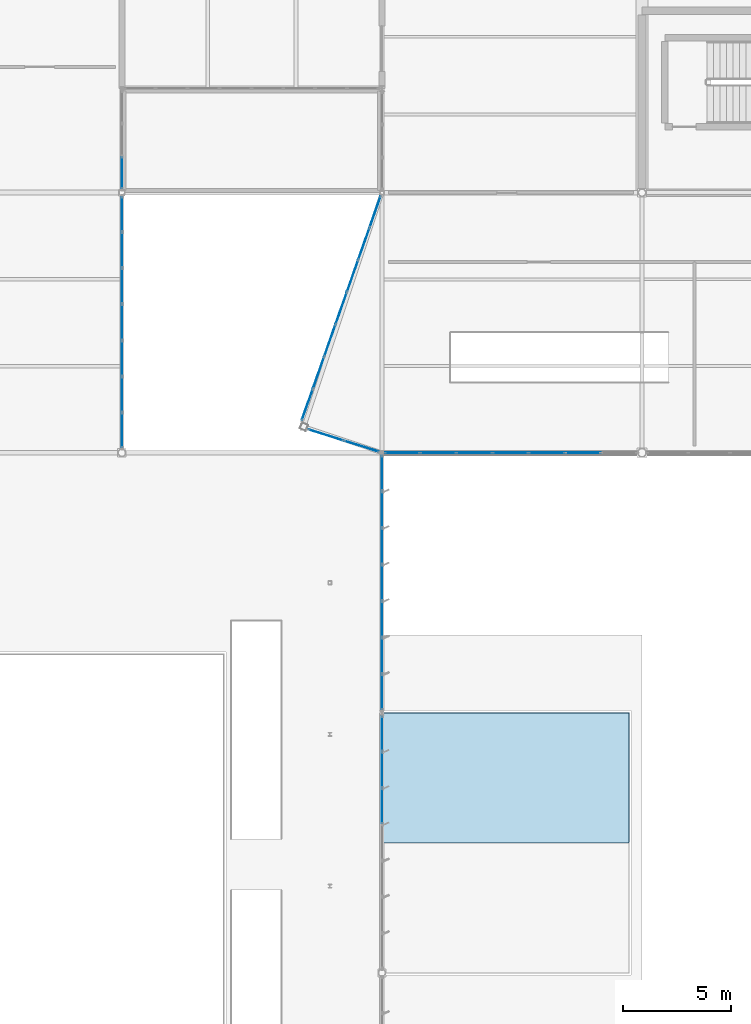
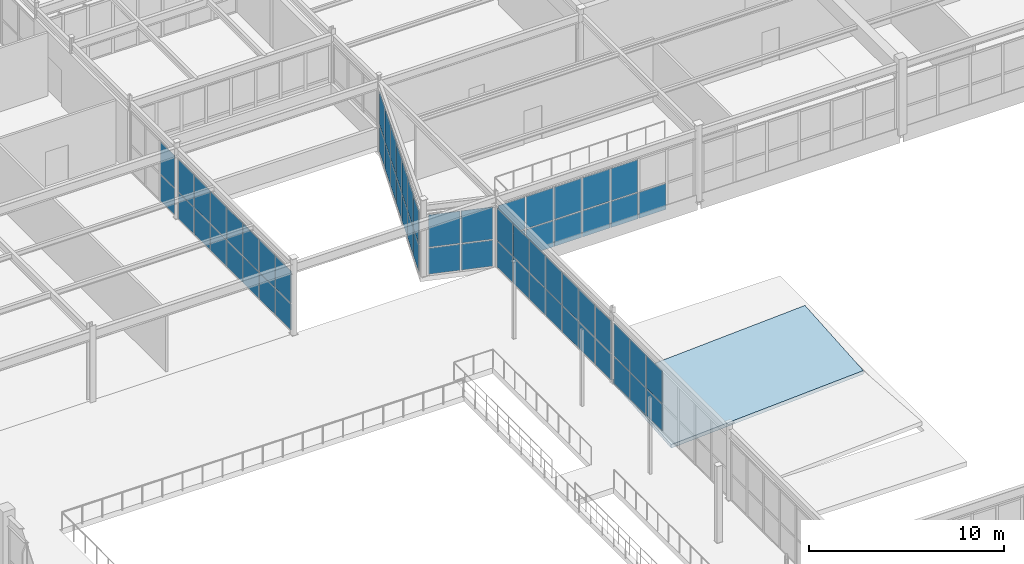
# One storey, part 148 of 226: 65 plates, 1 slab, 7 elements without a shape of their own.
"""IFC4 building model written with IfcOpenShell, lengths in metres."""

from ifc_helpers import new_model, si_unit, direction, frame, origin, origin_2d, place, context, subcontext, project, spatial, polyline, rectangle, outline, extrude, material, layer, layer_set, type_object, element, aggregate, save


model = new_model("IFC4")

# Units and contexts
model_context = context("Model", 3, precision=1e-05, world=origin(), true_north=direction((0.0, 1.0)))
body_context = subcontext(model_context, "Body", "Model", "MODEL_VIEW")
ifc_project = project(units=[si_unit("LENGTHUNIT", "METRE"), si_unit("AREAUNIT", "SQUARE_METRE"), si_unit("VOLUMEUNIT", "CUBIC_METRE"), si_unit("PLANEANGLEUNIT", "RADIAN"), si_unit("MASSUNIT", "GRAM", prefix="KILO")], contexts=[model_context])

# Site, building, storey
site_placement = place(None, origin())
site = spatial("IfcSite", under=ifc_project, at=site_placement, CompositionType="ELEMENT")
building_placement = place(site_placement, origin())
building = spatial("IfcBuilding", under=site, at=building_placement, Name="Tarnwether General Hospital", CompositionType="ELEMENT")
storey_placement = place(building_placement, frame((0.0, 0.0, 4.800048828125)))
storey = spatial("IfcBuildingStorey", under=building, at=storey_placement, Name="L01", CompositionType="ELEMENT", Elevation=4.800048828125)

# Curtain wall, plates
ifc_material_1 = material(Name="Anodised aluminium", Category="aluminium")
ifc_layer_1 = layer(ifc_material_1, 0.179931640625)
ifc_layer_set_1 = layer_set([ifc_layer_1], Name="Anodised aluminium")
curtain_wall_type_1 = type_object("IfcCurtainWallType", Name="CW-06", PredefinedType="NOTDEFINED", material=ifc_layer_set_1)
curtain_wall_1_placement = place(storey_placement, origin())
curtain_wall_1 = element("IfcCurtainWall", 1, at=curtain_wall_1_placement, inside=storey, type_object=curtain_wall_type_1, Name="Curtain Wall CWG-L01-1440_815-0336", PredefinedType="NOTDEFINED")
ifc_material_2 = material(Name="Double glazed low-E glass", Category="glass")
ifc_layer_2 = layer(ifc_material_2, 0.028076171875)
ifc_layer_set_2 = layer_set([ifc_layer_2], Name="Double glazed low-E glass")
plate_type = type_object("IfcPlateType", Name="PT-CWP1", PredefinedType="CURTAIN_PANEL", material=ifc_layer_set_2)
plate_1_placement = place(storey_placement, frame((144.0, 80.653076171875, 0.06005859375), z_axis=(0.0, 0.0, 1.0), x_axis=(0.0, -1.0, 0.0)))
plate_1 = element("IfcPlate", 2, at=plate_1_placement, type_object=plate_type, Name="CW-06 panel 1.1", PredefinedType="CURTAIN_PANEL", context=body_context, shape_type="SweptSolid", body=[
    extrude(rectangle(XDim=1.595947265625, YDim=0.028076171875, at=origin_2d()), origin(), (0.0, 0.0, 1.0), 1.632568359375),
])
plate_2_placement = place(storey_placement, frame((144.0, 80.653076171875, 1.75244140625), z_axis=(0.0, 0.0, 1.0), x_axis=(0.0, -1.0, 0.0)))
plate_2 = element("IfcPlate", 3, at=plate_2_placement, type_object=plate_type, Name="CW-06 panel 1.2", PredefinedType="CURTAIN_PANEL", context=body_context, shape_type="SweptSolid", body=[
    extrude(rectangle(XDim=1.595947265625, YDim=0.028076171875, at=origin_2d()), origin(), (0.0, 0.0, 1.0), 2.015380859375),
])
plate_3_placement = place(storey_placement, frame((144.0, 78.98193359375, 0.06005859375), z_axis=(0.0, 0.0, 1.0), x_axis=(0.0, -1.0, 0.0)))
plate_3 = element("IfcPlate", 4, at=plate_3_placement, type_object=plate_type, Name="CW-06 panel 2.1", PredefinedType="CURTAIN_PANEL", context=body_context, shape_type="SweptSolid", body=[
    extrude(rectangle(XDim=1.6259765625, YDim=0.028076171875, at=origin_2d()), origin(), (0.0, 0.0, 1.0), 1.632568359375),
])
plate_4_placement = place(storey_placement, frame((144.0, 78.98193359375, 1.75244140625), z_axis=(0.0, 0.0, 1.0), x_axis=(0.0, -1.0, 0.0)))
plate_4 = element("IfcPlate", 5, at=plate_4_placement, type_object=plate_type, Name="CW-06 panel 2.2", PredefinedType="CURTAIN_PANEL", context=body_context, shape_type="SweptSolid", body=[
    extrude(rectangle(XDim=1.6259765625, YDim=0.028076171875, at=origin_2d()), origin(), (0.0, 0.0, 1.0), 2.015380859375),
])
plate_5_placement = place(storey_placement, frame((144.0, 77.2958984375, 0.06005859375), z_axis=(0.0, 0.0, 1.0), x_axis=(0.0, -1.0, 0.0)))
plate_5 = element("IfcPlate", 6, at=plate_5_placement, type_object=plate_type, Name="CW-06 panel 3.1", PredefinedType="CURTAIN_PANEL", context=body_context, shape_type="SweptSolid", body=[
    extrude(rectangle(XDim=1.6259765625, YDim=0.028076171875, at=origin_2d()), origin(), (0.0, 0.0, 1.0), 1.632568359375),
])
plate_6_placement = place(storey_placement, frame((144.0, 77.2958984375, 1.75244140625), z_axis=(0.0, 0.0, 1.0), x_axis=(0.0, -1.0, 0.0)))
plate_6 = element("IfcPlate", 7, at=plate_6_placement, type_object=plate_type, Name="CW-06 panel 3.2", PredefinedType="CURTAIN_PANEL", context=body_context, shape_type="SweptSolid", body=[
    extrude(rectangle(XDim=1.6259765625, YDim=0.028076171875, at=origin_2d()), origin(), (0.0, 0.0, 1.0), 2.015380859375),
])
plate_7_placement = place(storey_placement, frame((144.0, 75.610107421875, 0.06005859375), z_axis=(0.0, 0.0, 1.0), x_axis=(0.0, -1.0, 0.0)))
plate_7 = element("IfcPlate", 8, at=plate_7_placement, type_object=plate_type, Name="CW-06 panel 4.1", PredefinedType="CURTAIN_PANEL", context=body_context, shape_type="SweptSolid", body=[
    extrude(rectangle(XDim=1.6259765625, YDim=0.028076171875, at=origin_2d()), origin(), (0.0, 0.0, 1.0), 1.632568359375),
])
plate_8_placement = place(storey_placement, frame((144.0, 75.610107421875, 1.75244140625), z_axis=(0.0, 0.0, 1.0), x_axis=(0.0, -1.0, 0.0)))
plate_8 = element("IfcPlate", 9, at=plate_8_placement, type_object=plate_type, Name="CW-06 panel 4.2", PredefinedType="CURTAIN_PANEL", context=body_context, shape_type="SweptSolid", body=[
    extrude(rectangle(XDim=1.6259765625, YDim=0.028076171875, at=origin_2d()), origin(), (0.0, 0.0, 1.0), 2.015380859375),
])
plate_9_placement = place(storey_placement, frame((144.0, 73.924072265625, 0.06005859375), z_axis=(0.0, 0.0, 1.0), x_axis=(0.0, -1.0, 0.0)))
plate_9 = element("IfcPlate", 10, at=plate_9_placement, type_object=plate_type, Name="CW-06 panel 5.1", PredefinedType="CURTAIN_PANEL", context=body_context, shape_type="SweptSolid", body=[
    extrude(rectangle(XDim=1.6259765625, YDim=0.028076171875, at=origin_2d()), origin(), (0.0, 0.0, 1.0), 1.632568359375),
])
plate_10_placement = place(storey_placement, frame((144.0, 73.924072265625, 1.75244140625), z_axis=(0.0, 0.0, 1.0), x_axis=(0.0, -1.0, 0.0)))
plate_10 = element("IfcPlate", 11, at=plate_10_placement, type_object=plate_type, Name="CW-06 panel 5.2", PredefinedType="CURTAIN_PANEL", context=body_context, shape_type="SweptSolid", body=[
    extrude(rectangle(XDim=1.6259765625, YDim=0.028076171875, at=origin_2d()), origin(), (0.0, 0.0, 1.0), 2.015380859375),
])
plate_11_placement = place(storey_placement, frame((144.0, 72.238037109375, 0.06005859375), z_axis=(0.0, 0.0, 1.0), x_axis=(0.0, -1.0, 0.0)))
plate_11 = element("IfcPlate", 12, at=plate_11_placement, type_object=plate_type, Name="CW-06 panel 6.1", PredefinedType="CURTAIN_PANEL", context=body_context, shape_type="SweptSolid", body=[
    extrude(rectangle(XDim=1.6259765625, YDim=0.028076171875, at=origin_2d()), origin(), (0.0, 0.0, 1.0), 1.632568359375),
])
plate_12_placement = place(storey_placement, frame((144.0, 72.238037109375, 1.75244140625), z_axis=(0.0, 0.0, 1.0), x_axis=(0.0, -1.0, 0.0)))
plate_12 = element("IfcPlate", 13, at=plate_12_placement, type_object=plate_type, Name="CW-06 panel 6.2", PredefinedType="CURTAIN_PANEL", context=body_context, shape_type="SweptSolid", body=[
    extrude(rectangle(XDim=1.6259765625, YDim=0.028076171875, at=origin_2d()), origin(), (0.0, 0.0, 1.0), 2.015380859375),
])
plate_13_placement = place(storey_placement, frame((144.0, 70.56689453125, 0.06005859375), z_axis=(0.0, 0.0, 1.0), x_axis=(0.0, -1.0, 0.0)))
plate_13 = element("IfcPlate", 14, at=plate_13_placement, type_object=plate_type, Name="CW-06 panel 7.1", PredefinedType="CURTAIN_PANEL", context=body_context, shape_type="SweptSolid", body=[
    extrude(rectangle(XDim=1.595947265625, YDim=0.028076171875, at=origin_2d()), origin(), (0.0, 0.0, 1.0), 1.632568359375),
])
plate_14_placement = place(storey_placement, frame((144.0, 70.56689453125, 1.75244140625), z_axis=(0.0, 0.0, 1.0), x_axis=(0.0, -1.0, 0.0)))
plate_14 = element("IfcPlate", 15, at=plate_14_placement, type_object=plate_type, Name="CW-06 panel 7.2", PredefinedType="CURTAIN_PANEL", context=body_context, shape_type="SweptSolid", body=[
    extrude(rectangle(XDim=1.595947265625, YDim=0.028076171875, at=origin_2d()), origin(), (0.0, 0.0, 1.0), 2.015380859375),
])
aggregate(curtain_wall_1, [plate_1, plate_2, plate_3, plate_4, plate_5, plate_6, plate_7, plate_8, plate_9, plate_10, plate_11, plate_12, plate_13, plate_14])

curtain_wall_2_placement = place(storey_placement, origin())
curtain_wall_2 = element("IfcCurtainWall", 16, at=curtain_wall_2_placement, inside=storey, type_object=curtain_wall_type_1, Name="Curtain Wall CWG-L01-1440_695-0337", PredefinedType="NOTDEFINED")
plate_15_placement = place(storey_placement, frame((144.0, 68.637939453125, 0.06005859375), z_axis=(0.0, 0.0, 1.0), x_axis=(0.0, -1.0, 0.0)))
plate_15 = element("IfcPlate", 17, at=plate_15_placement, type_object=plate_type, Name="CW-06 panel 1.1", PredefinedType="CURTAIN_PANEL", context=body_context, shape_type="SweptSolid", body=[
    extrude(rectangle(XDim=1.584228515625, YDim=0.028076171875, at=origin_2d()), origin(), (0.0, 0.0, 1.0), 1.66357421875),
])
plate_16_placement = place(storey_placement, frame((144.0, 68.637939453125, 1.78369140625), z_axis=(0.0, 0.0, 1.0), x_axis=(0.0, -1.0, 0.0)))
plate_16 = element("IfcPlate", 18, at=plate_16_placement, type_object=plate_type, Name="CW-06 panel 1.2", PredefinedType="CURTAIN_PANEL", context=body_context, shape_type="SweptSolid", body=[
    extrude(rectangle(XDim=1.584228515625, YDim=0.028076171875, at=origin_2d()), origin(), (0.0, 0.0, 1.0), 2.053466796875),
])
plate_17_placement = place(storey_placement, frame((144.0, 66.978515625, 0.06005859375), z_axis=(0.0, 0.0, 1.0), x_axis=(0.0, -1.0, 0.0)))
plate_17 = element("IfcPlate", 19, at=plate_17_placement, type_object=plate_type, Name="CW-06 panel 2.1", PredefinedType="CURTAIN_PANEL", context=body_context, shape_type="SweptSolid", body=[
    extrude(rectangle(XDim=1.6142578125, YDim=0.028076171875, at=origin_2d()), origin(), (0.0, 0.0, 1.0), 1.66357421875),
])
plate_18_placement = place(storey_placement, frame((144.0, 66.978515625, 1.78369140625), z_axis=(0.0, 0.0, 1.0), x_axis=(0.0, -1.0, 0.0)))
plate_18 = element("IfcPlate", 20, at=plate_18_placement, type_object=plate_type, Name="CW-06 panel 2.2", PredefinedType="CURTAIN_PANEL", context=body_context, shape_type="SweptSolid", body=[
    extrude(rectangle(XDim=1.6142578125, YDim=0.028076171875, at=origin_2d()), origin(), (0.0, 0.0, 1.0), 2.053466796875),
])
plate_19_placement = place(storey_placement, frame((144.0, 65.30419921875, 0.06005859375), z_axis=(0.0, 0.0, 1.0), x_axis=(0.0, -1.0, 0.0)))
plate_19 = element("IfcPlate", 21, at=plate_19_placement, type_object=plate_type, Name="CW-06 panel 3.1", PredefinedType="CURTAIN_PANEL", context=body_context, shape_type="SweptSolid", body=[
    extrude(rectangle(XDim=1.6142578125, YDim=0.028076171875, at=origin_2d()), origin(), (0.0, 0.0, 1.0), 1.66357421875),
])
plate_20_placement = place(storey_placement, frame((144.0, 65.30419921875, 1.78369140625), z_axis=(0.0, 0.0, 1.0), x_axis=(0.0, -1.0, 0.0)))
plate_20 = element("IfcPlate", 22, at=plate_20_placement, type_object=plate_type, Name="CW-06 panel 3.2", PredefinedType="CURTAIN_PANEL", context=body_context, shape_type="SweptSolid", body=[
    extrude(rectangle(XDim=1.6142578125, YDim=0.028076171875, at=origin_2d()), origin(), (0.0, 0.0, 1.0), 2.053466796875),
])
aggregate(curtain_wall_2, [plate_15, plate_16, plate_17, plate_18, plate_19, plate_20])

ifc_material_3 = material(Name="Anodised aluminium", Category="aluminium")
ifc_layer_3 = layer(ifc_material_3, 0.159912109375)
ifc_layer_set_3 = layer_set([ifc_layer_3], Name="Anodised aluminium")
curtain_wall_type_2 = type_object("IfcCurtainWallType", Name="CW-15", PredefinedType="NOTDEFINED", material=ifc_layer_set_3)
curtain_wall_3_placement = place(storey_placement, origin())
curtain_wall_3 = element("IfcCurtainWall", 23, at=curtain_wall_3_placement, inside=storey, type_object=curtain_wall_type_2, Name="Curtain Wall CWG-L01-1320_983-0370", PredefinedType="NOTDEFINED")
plate_21_placement = place(storey_placement, frame((132.0, 94.521728515625, 0.06005859375), z_axis=(0.0, 0.0, 1.0), x_axis=(0.0, -1.0, 0.0)))
plate_21 = element("IfcPlate", 24, at=plate_21_placement, type_object=plate_type, Name="CW-15 panel 3.1", PredefinedType="CURTAIN_PANEL", context=body_context, shape_type="SweptSolid", body=[
    extrude(rectangle(XDim=1.43359375, YDim=0.028076171875, at=origin_2d()), origin(), (0.0, 0.0, 1.0), 1.628173828125),
])
plate_22_placement = place(storey_placement, frame((132.0, 94.521728515625, 1.748046875), z_axis=(0.0, 0.0, 1.0), x_axis=(0.0, -1.0, 0.0)))
plate_22 = element("IfcPlate", 25, at=plate_22_placement, type_object=plate_type, Name="CW-15 panel 3.2", PredefinedType="CURTAIN_PANEL", context=body_context, shape_type="SweptSolid", body=[
    extrude(rectangle(XDim=1.43359375, YDim=0.028076171875, at=origin_2d()), origin(), (0.0, 0.0, 1.0), 2.010009765625),
])
aggregate(curtain_wall_3, [plate_21, plate_22])

curtain_wall_4_placement = place(storey_placement, origin())
curtain_wall_4 = element("IfcCurtainWall", 26, at=curtain_wall_4_placement, inside=storey, type_object=curtain_wall_type_2, Name="Curtain Wall CWG-L01-1320_935-0371", PredefinedType="NOTDEFINED")
plate_23_placement = place(storey_placement, frame((132.0, 92.6064453125, 0.059814453125), z_axis=(0.0, 0.0, 1.0), x_axis=(0.0, -1.0, 0.0)))
plate_23 = element("IfcPlate", 27, at=plate_23_placement, type_object=plate_type, Name="CW-15 panel 1.1", PredefinedType="CURTAIN_PANEL", context=body_context, shape_type="SweptSolid", body=[
    extrude(rectangle(XDim=1.576904296875, YDim=0.028076171875, at=origin_2d()), origin(), (0.0, 0.0, 1.0), 1.63037109375),
])
plate_24_placement = place(storey_placement, frame((132.0, 92.6064453125, 1.750244140625), z_axis=(0.0, 0.0, 1.0), x_axis=(0.0, -1.0, 0.0)))
plate_24 = element("IfcPlate", 28, at=plate_24_placement, type_object=plate_type, Name="CW-15 panel 1.2", PredefinedType="CURTAIN_PANEL", context=body_context, shape_type="SweptSolid", body=[
    extrude(rectangle(XDim=1.576904296875, YDim=0.028076171875, at=origin_2d()), origin(), (0.0, 0.0, 1.0), 2.0126953125),
])
plate_25_placement = place(storey_placement, frame((132.0, 90.95458984375, 0.059814453125), z_axis=(0.0, 0.0, 1.0), x_axis=(0.0, -1.0, 0.0)))
plate_25 = element("IfcPlate", 29, at=plate_25_placement, type_object=plate_type, Name="CW-15 panel 2.1", PredefinedType="CURTAIN_PANEL", context=body_context, shape_type="SweptSolid", body=[
    extrude(rectangle(XDim=1.60693359375, YDim=0.028076171875, at=origin_2d()), origin(), (0.0, 0.0, 1.0), 1.63037109375),
])
plate_26_placement = place(storey_placement, frame((132.0, 90.95458984375, 1.750244140625), z_axis=(0.0, 0.0, 1.0), x_axis=(0.0, -1.0, 0.0)))
plate_26 = element("IfcPlate", 30, at=plate_26_placement, type_object=plate_type, Name="CW-15 panel 2.2", PredefinedType="CURTAIN_PANEL", context=body_context, shape_type="SweptSolid", body=[
    extrude(rectangle(XDim=1.60693359375, YDim=0.028076171875, at=origin_2d()), origin(), (0.0, 0.0, 1.0), 2.0126953125),
])
plate_27_placement = place(storey_placement, frame((132.0, 89.28759765625, 0.059814453125), z_axis=(0.0, 0.0, 1.0), x_axis=(0.0, -1.0, 0.0)))
plate_27 = element("IfcPlate", 31, at=plate_27_placement, type_object=plate_type, Name="CW-15 panel 3.1", PredefinedType="CURTAIN_PANEL", context=body_context, shape_type="SweptSolid", body=[
    extrude(rectangle(XDim=1.60693359375, YDim=0.028076171875, at=origin_2d()), origin(), (0.0, 0.0, 1.0), 1.63037109375),
])
plate_28_placement = place(storey_placement, frame((132.0, 89.28759765625, 1.750244140625), z_axis=(0.0, 0.0, 1.0), x_axis=(0.0, -1.0, 0.0)))
plate_28 = element("IfcPlate", 32, at=plate_28_placement, type_object=plate_type, Name="CW-15 panel 3.2", PredefinedType="CURTAIN_PANEL", context=body_context, shape_type="SweptSolid", body=[
    extrude(rectangle(XDim=1.60693359375, YDim=0.028076171875, at=origin_2d()), origin(), (0.0, 0.0, 1.0), 2.0126953125),
])
plate_29_placement = place(storey_placement, frame((132.0, 87.62060546875, 0.059814453125), z_axis=(0.0, 0.0, 1.0), x_axis=(0.0, -1.0, 0.0)))
plate_29 = element("IfcPlate", 33, at=plate_29_placement, type_object=plate_type, Name="CW-15 panel 4.1", PredefinedType="CURTAIN_PANEL", context=body_context, shape_type="SweptSolid", body=[
    extrude(rectangle(XDim=1.60693359375, YDim=0.028076171875, at=origin_2d()), origin(), (0.0, 0.0, 1.0), 1.63037109375),
])
plate_30_placement = place(storey_placement, frame((132.0, 87.62060546875, 1.750244140625), z_axis=(0.0, 0.0, 1.0), x_axis=(0.0, -1.0, 0.0)))
plate_30 = element("IfcPlate", 34, at=plate_30_placement, type_object=plate_type, Name="CW-15 panel 4.2", PredefinedType="CURTAIN_PANEL", context=body_context, shape_type="SweptSolid", body=[
    extrude(rectangle(XDim=1.60693359375, YDim=0.028076171875, at=origin_2d()), origin(), (0.0, 0.0, 1.0), 2.0126953125),
])
plate_31_placement = place(storey_placement, frame((132.0, 85.95361328125, 0.059814453125), z_axis=(0.0, 0.0, 1.0), x_axis=(0.0, -1.0, 0.0)))
plate_31 = element("IfcPlate", 35, at=plate_31_placement, type_object=plate_type, Name="CW-15 panel 5.1", PredefinedType="CURTAIN_PANEL", context=body_context, shape_type="SweptSolid", body=[
    extrude(rectangle(XDim=1.60693359375, YDim=0.028076171875, at=origin_2d()), origin(), (0.0, 0.0, 1.0), 1.63037109375),
])
plate_32_placement = place(storey_placement, frame((132.0, 85.95361328125, 1.750244140625), z_axis=(0.0, 0.0, 1.0), x_axis=(0.0, -1.0, 0.0)))
plate_32 = element("IfcPlate", 36, at=plate_32_placement, type_object=plate_type, Name="CW-15 panel 5.2", PredefinedType="CURTAIN_PANEL", context=body_context, shape_type="SweptSolid", body=[
    extrude(rectangle(XDim=1.60693359375, YDim=0.028076171875, at=origin_2d()), origin(), (0.0, 0.0, 1.0), 2.0126953125),
])
plate_33_placement = place(storey_placement, frame((132.0, 84.28662109375, 0.059814453125), z_axis=(0.0, 0.0, 1.0), x_axis=(0.0, -1.0, 0.0)))
plate_33 = element("IfcPlate", 37, at=plate_33_placement, type_object=plate_type, Name="CW-15 panel 6.1", PredefinedType="CURTAIN_PANEL", context=body_context, shape_type="SweptSolid", body=[
    extrude(rectangle(XDim=1.60693359375, YDim=0.028076171875, at=origin_2d()), origin(), (0.0, 0.0, 1.0), 1.63037109375),
])
plate_34_placement = place(storey_placement, frame((132.0, 84.28662109375, 1.750244140625), z_axis=(0.0, 0.0, 1.0), x_axis=(0.0, -1.0, 0.0)))
plate_34 = element("IfcPlate", 38, at=plate_34_placement, type_object=plate_type, Name="CW-15 panel 6.2", PredefinedType="CURTAIN_PANEL", context=body_context, shape_type="SweptSolid", body=[
    extrude(rectangle(XDim=1.60693359375, YDim=0.028076171875, at=origin_2d()), origin(), (0.0, 0.0, 1.0), 2.0126953125),
])
plate_35_placement = place(storey_placement, frame((132.0, 82.634521484375, 0.059814453125), z_axis=(0.0, 0.0, 1.0), x_axis=(0.0, -1.0, 0.0)))
plate_35 = element("IfcPlate", 39, at=plate_35_placement, type_object=plate_type, Name="CW-15 panel 7.1", PredefinedType="CURTAIN_PANEL", context=body_context, shape_type="SweptSolid", body=[
    extrude(rectangle(XDim=1.576904296875, YDim=0.028076171875, at=origin_2d()), origin(), (0.0, 0.0, 1.0), 1.63037109375),
])
plate_36_placement = place(storey_placement, frame((132.0, 82.634521484375, 1.750244140625), z_axis=(0.0, 0.0, 1.0), x_axis=(0.0, -1.0, 0.0)))
plate_36 = element("IfcPlate", 40, at=plate_36_placement, type_object=plate_type, Name="CW-15 panel 7.2", PredefinedType="CURTAIN_PANEL", context=body_context, shape_type="SweptSolid", body=[
    extrude(rectangle(XDim=1.576904296875, YDim=0.028076171875, at=origin_2d()), origin(), (0.0, 0.0, 1.0), 2.0126953125),
])
aggregate(curtain_wall_4, [plate_23, plate_24, plate_25, plate_26, plate_27, plate_28, plate_29, plate_30, plate_31, plate_32, plate_33, plate_34, plate_35, plate_36])

curtain_wall_5_placement = place(storey_placement, origin())
curtain_wall_5 = element("IfcCurtainWall", 41, at=curtain_wall_5_placement, inside=storey, type_object=curtain_wall_type_2, Name="Curtain Wall CWG-L01-1439_816-0372", PredefinedType="NOTDEFINED")
plate_37_placement = place(storey_placement, frame((143.05224609375, 81.899169921875, 0.06005859375), z_axis=(0.0, 0.0, 1.0), x_axis=(-0.953630262233, 0.300980602289, 0.0)))
plate_37 = element("IfcPlate", 42, at=plate_37_placement, type_object=plate_type, Name="CW-15 panel 1.1", PredefinedType="CURTAIN_PANEL", context=body_context, shape_type="SweptSolid", body=[
    extrude(rectangle(XDim=1.656005859375, YDim=0.028076171875, at=origin_2d()), origin(), (0.0, 0.0, 1.0), 1.632568359375),
])
plate_38_placement = place(storey_placement, frame((143.05224609375, 81.899169921875, 1.75244140625), z_axis=(0.0, 0.0, 1.0), x_axis=(-0.953630262233, 0.300980602289, 0.0)))
plate_38 = element("IfcPlate", 43, at=plate_38_placement, type_object=plate_type, Name="CW-15 panel 1.2", PredefinedType="CURTAIN_PANEL", context=body_context, shape_type="SweptSolid", body=[
    extrude(rectangle(XDim=1.656005859375, YDim=0.028076171875, at=origin_2d()), origin(), (0.0, 0.0, 1.0), 2.015380859375),
])
plate_39_placement = place(storey_placement, frame((141.415771484375, 82.415771484375, 0.06005859375), z_axis=(0.0, 0.0, 1.0), x_axis=(-0.953630262233, 0.300980602289, 0.0)))
plate_39 = element("IfcPlate", 44, at=plate_39_placement, type_object=plate_type, Name="CW-15 panel 2.1", PredefinedType="CURTAIN_PANEL", context=body_context, shape_type="SweptSolid", body=[
    extrude(rectangle(XDim=1.656005859375, YDim=0.028076171875, at=origin_2d()), origin(), (0.0, 0.0, 1.0), 1.632568359375),
])
plate_40_placement = place(storey_placement, frame((141.415771484375, 82.415771484375, 1.75244140625), z_axis=(0.0, 0.0, 1.0), x_axis=(-0.953630262233, 0.300980602289, 0.0)))
plate_40 = element("IfcPlate", 45, at=plate_40_placement, type_object=plate_type, Name="CW-15 panel 2.2", PredefinedType="CURTAIN_PANEL", context=body_context, shape_type="SweptSolid", body=[
    extrude(rectangle(XDim=1.656005859375, YDim=0.028076171875, at=origin_2d()), origin(), (0.0, 0.0, 1.0), 2.015380859375),
])
aggregate(curtain_wall_5, [plate_37, plate_38, plate_39, plate_40])

curtain_wall_6_placement = place(storey_placement, origin())
curtain_wall_6 = element("IfcCurtainWall", 46, at=curtain_wall_6_placement, inside=storey, type_object=curtain_wall_type_2, Name="Curtain Wall CWG-L01-1403_831-0373", PredefinedType="NOTDEFINED")
plate_41_placement = place(storey_placement, frame((140.554931640625, 83.809814453125, 0.06005859375), z_axis=(0.0, 0.0, 1.0), x_axis=(0.331901738387, 0.943313964731, 0.0)))
plate_41 = element("IfcPlate", 47, at=plate_41_placement, type_object=plate_type, Name="CW-15 panel 1.1", PredefinedType="CURTAIN_PANEL", context=body_context, shape_type="SweptSolid", body=[
    extrude(rectangle(XDim=1.48876953125, YDim=0.028076171875, at=origin_2d()), origin(), (0.0, 0.0, 1.0), 1.66357421875),
])
plate_42_placement = place(storey_placement, frame((140.554931640625, 83.809814453125, 1.78369140625), z_axis=(0.0, 0.0, 1.0), x_axis=(0.331901738387, 0.943313964731, 0.0)))
plate_42 = element("IfcPlate", 48, at=plate_42_placement, type_object=plate_type, Name="CW-15 panel 1.2", PredefinedType="CURTAIN_PANEL", context=body_context, shape_type="SweptSolid", body=[
    extrude(rectangle(XDim=1.48876953125, YDim=0.028076171875, at=origin_2d()), origin(), (0.0, 0.0, 1.0), 2.053466796875),
])
plate_43_placement = place(storey_placement, frame((141.073974609375, 85.284912109375, 0.06005859375), z_axis=(0.0, 0.0, 1.0), x_axis=(0.331901738387, 0.943313964731, 0.0)))
plate_43 = element("IfcPlate", 49, at=plate_43_placement, type_object=plate_type, Name="CW-15 panel 2.1", PredefinedType="CURTAIN_PANEL", context=body_context, shape_type="SweptSolid", body=[
    extrude(rectangle(XDim=1.518798828125, YDim=0.028076171875, at=origin_2d()), origin(), (0.0, 0.0, 1.0), 1.66357421875),
])
plate_44_placement = place(storey_placement, frame((141.073974609375, 85.284912109375, 1.78369140625), z_axis=(0.0, 0.0, 1.0), x_axis=(0.331901738387, 0.943313964731, 0.0)))
plate_44 = element("IfcPlate", 50, at=plate_44_placement, type_object=plate_type, Name="CW-15 panel 2.2", PredefinedType="CURTAIN_PANEL", context=body_context, shape_type="SweptSolid", body=[
    extrude(rectangle(XDim=1.518798828125, YDim=0.028076171875, at=origin_2d()), origin(), (0.0, 0.0, 1.0), 2.053466796875),
])
plate_45_placement = place(storey_placement, frame((141.597900390625, 86.774169921875, 0.06005859375), z_axis=(0.0, 0.0, 1.0), x_axis=(0.331901738387, 0.943313964731, 0.0)))
plate_45 = element("IfcPlate", 51, at=plate_45_placement, type_object=plate_type, Name="CW-15 panel 3.1", PredefinedType="CURTAIN_PANEL", context=body_context, shape_type="SweptSolid", body=[
    extrude(rectangle(XDim=1.518798828125, YDim=0.028076171875, at=origin_2d()), origin(), (0.0, 0.0, 1.0), 1.66357421875),
])
plate_46_placement = place(storey_placement, frame((141.597900390625, 86.774169921875, 1.78369140625), z_axis=(0.0, 0.0, 1.0), x_axis=(0.331901738387, 0.943313964731, 0.0)))
plate_46 = element("IfcPlate", 52, at=plate_46_placement, type_object=plate_type, Name="CW-15 panel 3.2", PredefinedType="CURTAIN_PANEL", context=body_context, shape_type="SweptSolid", body=[
    extrude(rectangle(XDim=1.518798828125, YDim=0.028076171875, at=origin_2d()), origin(), (0.0, 0.0, 1.0), 2.053466796875),
])
plate_47_placement = place(storey_placement, frame((142.1220703125, 88.263427734375, 0.06005859375), z_axis=(0.0, 0.0, 1.0), x_axis=(0.331901738387, 0.943313964731, 0.0)))
plate_47 = element("IfcPlate", 53, at=plate_47_placement, type_object=plate_type, Name="CW-15 panel 4.1", PredefinedType="CURTAIN_PANEL", context=body_context, shape_type="SweptSolid", body=[
    extrude(rectangle(XDim=1.518798828125, YDim=0.028076171875, at=origin_2d()), origin(), (0.0, 0.0, 1.0), 1.66357421875),
])
plate_48_placement = place(storey_placement, frame((142.1220703125, 88.263427734375, 1.78369140625), z_axis=(0.0, 0.0, 1.0), x_axis=(0.331901738387, 0.943313964731, 0.0)))
plate_48 = element("IfcPlate", 54, at=plate_48_placement, type_object=plate_type, Name="CW-15 panel 4.2", PredefinedType="CURTAIN_PANEL", context=body_context, shape_type="SweptSolid", body=[
    extrude(rectangle(XDim=1.518798828125, YDim=0.028076171875, at=origin_2d()), origin(), (0.0, 0.0, 1.0), 2.053466796875),
])
plate_49_placement = place(storey_placement, frame((142.64599609375, 89.752685546875, 0.06005859375), z_axis=(0.0, 0.0, 1.0), x_axis=(0.331901738387, 0.943313964731, 0.0)))
plate_49 = element("IfcPlate", 55, at=plate_49_placement, type_object=plate_type, Name="CW-15 panel 5.1", PredefinedType="CURTAIN_PANEL", context=body_context, shape_type="SweptSolid", body=[
    extrude(rectangle(XDim=1.518798828125, YDim=0.028076171875, at=origin_2d()), origin(), (0.0, 0.0, 1.0), 1.66357421875),
])
plate_50_placement = place(storey_placement, frame((142.64599609375, 89.752685546875, 1.78369140625), z_axis=(0.0, 0.0, 1.0), x_axis=(0.331901738387, 0.943313964731, 0.0)))
plate_50 = element("IfcPlate", 56, at=plate_50_placement, type_object=plate_type, Name="CW-15 panel 5.2", PredefinedType="CURTAIN_PANEL", context=body_context, shape_type="SweptSolid", body=[
    extrude(rectangle(XDim=1.518798828125, YDim=0.028076171875, at=origin_2d()), origin(), (0.0, 0.0, 1.0), 2.053466796875),
])
plate_51_placement = place(storey_placement, frame((143.169921875, 91.2421875, 0.06005859375), z_axis=(0.0, 0.0, 1.0), x_axis=(0.331901738387, 0.943313964731, 0.0)))
plate_51 = element("IfcPlate", 57, at=plate_51_placement, type_object=plate_type, Name="CW-15 panel 6.1", PredefinedType="CURTAIN_PANEL", context=body_context, shape_type="SweptSolid", body=[
    extrude(rectangle(XDim=1.518798828125, YDim=0.028076171875, at=origin_2d()), origin(), (0.0, 0.0, 1.0), 1.66357421875),
])
plate_52_placement = place(storey_placement, frame((143.169921875, 91.2421875, 1.78369140625), z_axis=(0.0, 0.0, 1.0), x_axis=(0.331901738387, 0.943313964731, 0.0)))
plate_52 = element("IfcPlate", 58, at=plate_52_placement, type_object=plate_type, Name="CW-15 panel 6.2", PredefinedType="CURTAIN_PANEL", context=body_context, shape_type="SweptSolid", body=[
    extrude(rectangle(XDim=1.518798828125, YDim=0.028076171875, at=origin_2d()), origin(), (0.0, 0.0, 1.0), 2.053466796875),
])
plate_53_placement = place(storey_placement, frame((143.68896484375, 92.71728515625, 0.06005859375), z_axis=(0.0, 0.0, 1.0), x_axis=(0.331901738387, 0.943313964731, 0.0)))
plate_53 = element("IfcPlate", 59, at=plate_53_placement, type_object=plate_type, Name="CW-15 panel 7.1", PredefinedType="CURTAIN_PANEL", context=body_context, shape_type="SweptSolid", body=[
    extrude(rectangle(XDim=1.48876953125, YDim=0.028076171875, at=origin_2d()), origin(), (0.0, 0.0, 1.0), 1.66357421875),
])
plate_54_placement = place(storey_placement, frame((143.68896484375, 92.71728515625, 1.78369140625), z_axis=(0.0, 0.0, 1.0), x_axis=(0.331901738387, 0.943313964731, 0.0)))
plate_54 = element("IfcPlate", 60, at=plate_54_placement, type_object=plate_type, Name="CW-15 panel 7.2", PredefinedType="CURTAIN_PANEL", context=body_context, shape_type="SweptSolid", body=[
    extrude(rectangle(XDim=1.48876953125, YDim=0.028076171875, at=origin_2d()), origin(), (0.0, 0.0, 1.0), 2.053466796875),
])
aggregate(curtain_wall_6, [plate_41, plate_42, plate_43, plate_44, plate_45, plate_46, plate_47, plate_48, plate_49, plate_50, plate_51, plate_52, plate_53, plate_54])

ifc_material_4 = material(Name="Anodised aluminium", Category="aluminium")
ifc_layer_4 = layer(ifc_material_4, 0.159912109375)
ifc_layer_set_4 = layer_set([ifc_layer_4], Name="Anodised aluminium")
curtain_wall_type_3 = type_object("IfcCurtainWallType", Name="CW-17", PredefinedType="NOTDEFINED", material=ifc_layer_set_4)
curtain_wall_7_placement = place(storey_placement, origin())
curtain_wall_7 = element("IfcCurtainWall", 61, at=curtain_wall_7_placement, inside=storey, type_object=curtain_wall_type_3, Name="Curtain Wall CWG-L01-1558_816-0396", PredefinedType="NOTDEFINED")
plate_55_placement = place(storey_placement, frame((153.281005859375, 81.60009765625, 0.06005859375), z_axis=(0.0, 0.0, 1.0), x_axis=(-1.0, 0.0, 0.0)))
plate_55 = element("IfcPlate", 62, at=plate_55_placement, type_object=plate_type, Name="CW-17 panel 2.1", PredefinedType="CURTAIN_PANEL", context=body_context, shape_type="SweptSolid", body=[
    extrude(rectangle(XDim=1.612060546875, YDim=0.028076171875, at=origin_2d()), origin(), (0.0, 0.0, 1.0), 1.632568359375),
])
plate_56_placement = place(storey_placement, frame((151.60888671875, 81.60009765625, 0.06005859375), z_axis=(0.0, 0.0, 1.0), x_axis=(-1.0, 0.0, 0.0)))
plate_56 = element("IfcPlate", 63, at=plate_56_placement, type_object=plate_type, Name="CW-17 panel 3.1", PredefinedType="CURTAIN_PANEL", context=body_context, shape_type="SweptSolid", body=[
    extrude(rectangle(XDim=1.612060546875, YDim=0.028076171875, at=origin_2d()), origin(), (0.0, 0.0, 1.0), 1.632568359375),
])
plate_57_placement = place(storey_placement, frame((151.60888671875, 81.60009765625, 1.75244140625), z_axis=(0.0, 0.0, 1.0), x_axis=(-1.0, 0.0, 0.0)))
plate_57 = element("IfcPlate", 64, at=plate_57_placement, type_object=plate_type, Name="CW-17 panel 3.2", PredefinedType="CURTAIN_PANEL", context=body_context, shape_type="SweptSolid", body=[
    extrude(rectangle(XDim=1.612060546875, YDim=0.028076171875, at=origin_2d()), origin(), (0.0, 0.0, 1.0), 2.015380859375),
])
plate_58_placement = place(storey_placement, frame((149.93701171875, 81.60009765625, 0.06005859375), z_axis=(0.0, 0.0, 1.0), x_axis=(-1.0, 0.0, 0.0)))
plate_58 = element("IfcPlate", 65, at=plate_58_placement, type_object=plate_type, Name="CW-17 panel 4.1", PredefinedType="CURTAIN_PANEL", context=body_context, shape_type="SweptSolid", body=[
    extrude(rectangle(XDim=1.612060546875, YDim=0.028076171875, at=origin_2d()), origin(), (0.0, 0.0, 1.0), 1.632568359375),
])
plate_59_placement = place(storey_placement, frame((149.93701171875, 81.60009765625, 1.75244140625), z_axis=(0.0, 0.0, 1.0), x_axis=(-1.0, 0.0, 0.0)))
plate_59 = element("IfcPlate", 66, at=plate_59_placement, type_object=plate_type, Name="CW-17 panel 4.2", PredefinedType="CURTAIN_PANEL", context=body_context, shape_type="SweptSolid", body=[
    extrude(rectangle(XDim=1.612060546875, YDim=0.028076171875, at=origin_2d()), origin(), (0.0, 0.0, 1.0), 2.015380859375),
])
plate_60_placement = place(storey_placement, frame((148.264892578125, 81.60009765625, 0.06005859375), z_axis=(0.0, 0.0, 1.0), x_axis=(-1.0, 0.0, 0.0)))
plate_60 = element("IfcPlate", 67, at=plate_60_placement, type_object=plate_type, Name="CW-17 panel 5.1", PredefinedType="CURTAIN_PANEL", context=body_context, shape_type="SweptSolid", body=[
    extrude(rectangle(XDim=1.612060546875, YDim=0.028076171875, at=origin_2d()), origin(), (0.0, 0.0, 1.0), 1.632568359375),
])
plate_61_placement = place(storey_placement, frame((148.264892578125, 81.60009765625, 1.75244140625), z_axis=(0.0, 0.0, 1.0), x_axis=(-1.0, 0.0, 0.0)))
plate_61 = element("IfcPlate", 68, at=plate_61_placement, type_object=plate_type, Name="CW-17 panel 5.2", PredefinedType="CURTAIN_PANEL", context=body_context, shape_type="SweptSolid", body=[
    extrude(rectangle(XDim=1.612060546875, YDim=0.028076171875, at=origin_2d()), origin(), (0.0, 0.0, 1.0), 2.015380859375),
])
plate_62_placement = place(storey_placement, frame((146.593017578125, 81.60009765625, 0.06005859375), z_axis=(0.0, 0.0, 1.0), x_axis=(-1.0, 0.0, 0.0)))
plate_62 = element("IfcPlate", 69, at=plate_62_placement, type_object=plate_type, Name="CW-17 panel 6.1", PredefinedType="CURTAIN_PANEL", context=body_context, shape_type="SweptSolid", body=[
    extrude(rectangle(XDim=1.612060546875, YDim=0.028076171875, at=origin_2d()), origin(), (0.0, 0.0, 1.0), 1.632568359375),
])
plate_63_placement = place(storey_placement, frame((146.593017578125, 81.60009765625, 1.75244140625), z_axis=(0.0, 0.0, 1.0), x_axis=(-1.0, 0.0, 0.0)))
plate_63 = element("IfcPlate", 70, at=plate_63_placement, type_object=plate_type, Name="CW-17 panel 6.2", PredefinedType="CURTAIN_PANEL", context=body_context, shape_type="SweptSolid", body=[
    extrude(rectangle(XDim=1.612060546875, YDim=0.028076171875, at=origin_2d()), origin(), (0.0, 0.0, 1.0), 2.015380859375),
])
plate_64_placement = place(storey_placement, frame((144.93603515625, 81.60009765625, 0.06005859375), z_axis=(0.0, 0.0, 1.0), x_axis=(-1.0, 0.0, 0.0)))
plate_64 = element("IfcPlate", 71, at=plate_64_placement, type_object=plate_type, Name="CW-17 panel 7.1", PredefinedType="CURTAIN_PANEL", context=body_context, shape_type="SweptSolid", body=[
    extrude(rectangle(XDim=1.58203125, YDim=0.028076171875, at=origin_2d()), origin(), (0.0, 0.0, 1.0), 1.632568359375),
])
plate_65_placement = place(storey_placement, frame((144.93603515625, 81.60009765625, 1.75244140625), z_axis=(0.0, 0.0, 1.0), x_axis=(-1.0, 0.0, 0.0)))
plate_65 = element("IfcPlate", 72, at=plate_65_placement, type_object=plate_type, Name="CW-17 panel 7.2", PredefinedType="CURTAIN_PANEL", context=body_context, shape_type="SweptSolid", body=[
    extrude(rectangle(XDim=1.58203125, YDim=0.028076171875, at=origin_2d()), origin(), (0.0, 0.0, 1.0), 2.015380859375),
])
aggregate(curtain_wall_7, [plate_55, plate_56, plate_57, plate_58, plate_59, plate_60, plate_61, plate_62, plate_63, plate_64, plate_65])

# Slab
ifc_material_5 = material(Name="Concrete 40 MPa", Category="concrete")
ifc_layer_5 = layer(ifc_material_5, 0.239990234375)
ifc_layer_set_5 = layer_set([ifc_layer_5], Name="Concrete 40 MPa")
slab_type = type_object("IfcSlabType", Name="SL-RF240", PredefinedType="ROOF", material=ifc_layer_set_5)
slab_placement = place(storey_placement, frame((144.0, 63.60009765625, -0.25), z_axis=(-0.056758190024, -0.074661326614, 0.995592383545), x_axis=(0.998378910832, 0.0, 0.056917048457)))
element("IfcSlab", 73, at=slab_placement, inside=storey, type_object=slab_type, Name="Main Entrance Folded Canopy North Wing", PredefinedType="ROOF", context=body_context, shape_type="SweptSolid", body=[
    extrude(outline(polyline([(0.0, 0.0), (11.418412608740695, -6.938893903907228e-18), (11.444022501393441, 6.016793181626738), (0.025609892652746963, 6.016793181626738), (0.0, 0.0)])), origin(), (0.0, 0.0, -1.0), 0.239990234375),
])

save(model, "model.ifc")
